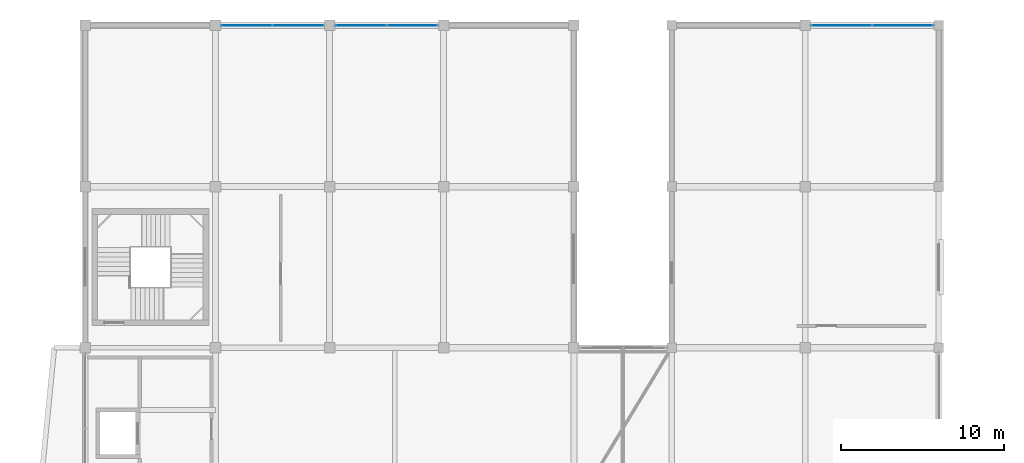
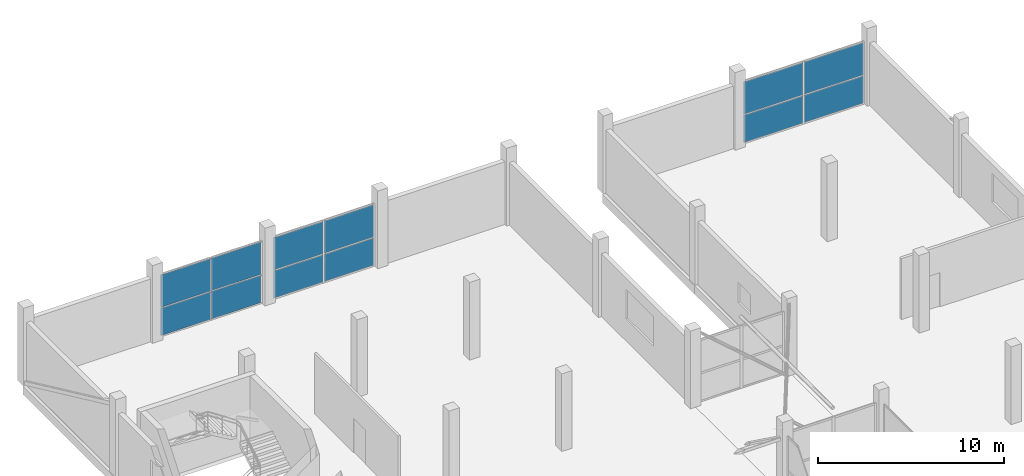
# One storey, part 50 of 66: 12 plates, 3 elements without a shape of their own.
"""IFC4 building model written with IfcOpenShell, lengths in metres."""

from ifc_helpers import new_model, si_unit, direction, frame, origin, origin_2d, place, context, subcontext, project, spatial, rectangle, extrude, material, layer, layer_set, type_object, element, aggregate, save


model = new_model("IFC4")

# Units and contexts
model_context = context("Model", 3, precision=1e-05, world=origin(), true_north=direction((0.0, 1.0)))
body_context = subcontext(model_context, "Body", "Model", "MODEL_VIEW")
ifc_project = project(units=[si_unit("LENGTHUNIT", "METRE"), si_unit("AREAUNIT", "SQUARE_METRE"), si_unit("VOLUMEUNIT", "CUBIC_METRE"), si_unit("PLANEANGLEUNIT", "RADIAN"), si_unit("MASSUNIT", "GRAM", prefix="KILO")], contexts=[model_context])

# Site, building, storey
site_placement = place(None, origin())
site = spatial("IfcSite", under=ifc_project, at=site_placement, CompositionType="ELEMENT")
building_placement = place(site_placement, origin())
building = spatial("IfcBuilding", under=site, at=building_placement, Name="Sillaruma Civic Art Gallery", CompositionType="ELEMENT")
storey_placement = place(building_placement, frame((0.0, 0.0, 57.1201171875)))
storey = spatial("IfcBuildingStorey", under=building, at=storey_placement, Name="L11", CompositionType="ELEMENT", Elevation=57.1201171875)

# Curtain wall, plates
ifc_material_1 = material(Name="Thermally Broken Extruded Aluminium 6063-T6", Category="aluminium")
ifc_layer_1 = layer(ifc_material_1, 0.139892578125, Name="Thermally Broken Extruded Aluminium 6063-T6")
ifc_layer_set_1 = layer_set([ifc_layer_1], Name="Thermally Broken Extruded Aluminium 6063-T6")
curtain_wall_type_1 = type_object("IfcCurtainWallType", Name="CW-UNI-76", PredefinedType="NOTDEFINED", material=ifc_layer_set_1)
curtain_wall_1_placement = place(storey_placement, origin())
curtain_wall_1 = element("IfcCurtainWall", 1, at=curtain_wall_1_placement, inside=storey, type_object=curtain_wall_type_1, Name="Unitised Curtain Wall CW-76 (CW-L11-WBN-2)", PredefinedType="NOTDEFINED")
ifc_material_2 = material(Name="Low-E UV-Filtered Laminated Insulating Glass", Category="glass")
ifc_layer_2 = layer(ifc_material_2, 0.033935546875, Name="Low-E UV-Filtered Laminated Insulating Glass")
ifc_layer_set_2 = layer_set([ifc_layer_2], Name="Low-E UV-Filtered Laminated Insulating Glass")
plate_type_1 = type_object("IfcPlateType", Name="PNL-GLZ-34", PredefinedType="CURTAIN_PANEL", material=ifc_layer_set_2)
plate_1_placement = place(storey_placement, frame((71.927490234375, 99.0, 0.06494140625), z_axis=(0.0, 0.0, 1.0), x_axis=(1.0, 0.0, 0.0)))
plate_1 = element("IfcPlate", 2, at=plate_1_placement, type_object=plate_type_1, Name="CW-76 panel 1.1", PredefinedType="CURTAIN_PANEL", context=body_context, shape_type="SweptSolid", body=[
    extrude(rectangle(XDim=3.0849609375, YDim=0.033935546875, at=origin_2d()), origin(), (0.0, 0.0, 1.0), 1.797607421875),
])
plate_2_placement = place(storey_placement, frame((71.927490234375, 99.0, 1.927734375), z_axis=(0.0, 0.0, 1.0), x_axis=(1.0, 0.0, 0.0)))
plate_2 = element("IfcPlate", 3, at=plate_2_placement, type_object=plate_type_1, Name="CW-76 panel 1.2", PredefinedType="CURTAIN_PANEL", context=body_context, shape_type="SweptSolid", body=[
    extrude(rectangle(XDim=3.0849609375, YDim=0.033935546875, at=origin_2d()), origin(), (0.0, 0.0, 1.0), 2.127197265625),
])
plate_3_placement = place(storey_placement, frame((75.072509765625, 99.0, 0.06494140625), z_axis=(0.0, 0.0, 1.0), x_axis=(1.0, 0.0, 0.0)))
plate_3 = element("IfcPlate", 4, at=plate_3_placement, type_object=plate_type_1, Name="CW-76 panel 2.1", PredefinedType="CURTAIN_PANEL", context=body_context, shape_type="SweptSolid", body=[
    extrude(rectangle(XDim=3.0849609375, YDim=0.033935546875, at=origin_2d()), origin(), (0.0, 0.0, 1.0), 1.797607421875),
])
plate_4_placement = place(storey_placement, frame((75.072509765625, 99.0, 1.927734375), z_axis=(0.0, 0.0, 1.0), x_axis=(1.0, 0.0, 0.0)))
plate_4 = element("IfcPlate", 5, at=plate_4_placement, type_object=plate_type_1, Name="CW-76 panel 2.2", PredefinedType="CURTAIN_PANEL", context=body_context, shape_type="SweptSolid", body=[
    extrude(rectangle(XDim=3.0849609375, YDim=0.033935546875, at=origin_2d()), origin(), (0.0, 0.0, 1.0), 2.127197265625),
])
aggregate(curtain_wall_1, [plate_1, plate_2, plate_3, plate_4])

ifc_layer_3 = layer(ifc_material_1, 0.179931640625, Name="Thermally Broken Extruded Aluminium 6063-T6")
ifc_layer_set_3 = layer_set([ifc_layer_3], Name="Thermally Broken Extruded Aluminium 6063-T6")
curtain_wall_type_2 = type_object("IfcCurtainWallType", Name="CW-UNI-86", PredefinedType="NOTDEFINED", material=ifc_layer_set_3)
curtain_wall_2_placement = place(storey_placement, origin())
curtain_wall_2 = element("IfcCurtainWall", 6, at=curtain_wall_2_placement, inside=storey, type_object=curtain_wall_type_2, Name="Unitised Curtain Wall CW-86 (CW-L11-WBN-3)", PredefinedType="NOTDEFINED")
ifc_layer_4 = layer(ifc_material_2, 0.035888671875, Name="Low-E UV-Filtered Laminated Insulating Glass")
ifc_layer_set_4 = layer_set([ifc_layer_4], Name="Low-E UV-Filtered Laminated Insulating Glass")
plate_type_2 = type_object("IfcPlateType", Name="PNL-GLZ-36", PredefinedType="CURTAIN_PANEL", material=ifc_layer_set_4)
plate_5_placement = place(storey_placement, frame((78.929931640625, 99.0, 0.06982421875), z_axis=(0.0, 0.0, 1.0), x_axis=(1.0, 0.0, 0.0)))
plate_5 = element("IfcPlate", 7, at=plate_5_placement, type_object=plate_type_2, Name="CW-86 panel 1.1", PredefinedType="CURTAIN_PANEL", context=body_context, shape_type="SweptSolid", body=[
    extrude(rectangle(XDim=3.070068359375, YDim=0.035888671875, at=origin_2d()), origin(), (0.0, 0.0, 1.0), 1.790283203125),
])
plate_6_placement = place(storey_placement, frame((78.929931640625, 99.0, 1.93017578125), z_axis=(0.0, 0.0, 1.0), x_axis=(1.0, 0.0, 0.0)))
plate_6 = element("IfcPlate", 8, at=plate_6_placement, type_object=plate_type_2, Name="CW-86 panel 1.2", PredefinedType="CURTAIN_PANEL", context=body_context, shape_type="SweptSolid", body=[
    extrude(rectangle(XDim=3.070068359375, YDim=0.035888671875, at=origin_2d()), origin(), (0.0, 0.0, 1.0), 2.119873046875),
])
plate_7_placement = place(storey_placement, frame((82.070068359375, 99.0, 0.06982421875), z_axis=(0.0, 0.0, 1.0), x_axis=(1.0, 0.0, 0.0)))
plate_7 = element("IfcPlate", 9, at=plate_7_placement, type_object=plate_type_2, Name="CW-86 panel 2.1", PredefinedType="CURTAIN_PANEL", context=body_context, shape_type="SweptSolid", body=[
    extrude(rectangle(XDim=3.070068359375, YDim=0.035888671875, at=origin_2d()), origin(), (0.0, 0.0, 1.0), 1.790283203125),
])
plate_8_placement = place(storey_placement, frame((82.070068359375, 99.0, 1.93017578125), z_axis=(0.0, 0.0, 1.0), x_axis=(1.0, 0.0, 0.0)))
plate_8 = element("IfcPlate", 10, at=plate_8_placement, type_object=plate_type_2, Name="CW-86 panel 2.2", PredefinedType="CURTAIN_PANEL", context=body_context, shape_type="SweptSolid", body=[
    extrude(rectangle(XDim=3.070068359375, YDim=0.035888671875, at=origin_2d()), origin(), (0.0, 0.0, 1.0), 2.119873046875),
])
aggregate(curtain_wall_2, [plate_5, plate_6, plate_7, plate_8])

ifc_layer_5 = layer(ifc_material_1, 0.179931640625, Name="Thermally Broken Extruded Aluminium 6063-T6")
ifc_layer_set_5 = layer_set([ifc_layer_5], Name="Thermally Broken Extruded Aluminium 6063-T6")
curtain_wall_type_3 = type_object("IfcCurtainWallType", Name="CW-UNI-87", PredefinedType="NOTDEFINED", material=ifc_layer_set_5)
curtain_wall_3_placement = place(storey_placement, origin())
curtain_wall_3 = element("IfcCurtainWall", 11, at=curtain_wall_3_placement, inside=storey, type_object=curtain_wall_type_3, Name="Unitised Curtain Wall CW-87 (CW-L11-EBN-2)", PredefinedType="NOTDEFINED")
plate_9_placement = place(storey_placement, frame((108.436279296875, 99.0, 0.06982421875), z_axis=(0.0, 0.0, 1.0), x_axis=(1.0, 0.0, 0.0)))
plate_9 = element("IfcPlate", 12, at=plate_9_placement, type_object=plate_type_2, Name="CW-87 panel 1.1", PredefinedType="CURTAIN_PANEL", context=body_context, shape_type="SweptSolid", body=[
    extrude(rectangle(XDim=3.6826171875, YDim=0.035888671875, at=origin_2d()), origin(), (0.0, 0.0, 1.0), 1.790283203125),
])
plate_10_placement = place(storey_placement, frame((108.436279296875, 99.0, 1.93017578125), z_axis=(0.0, 0.0, 1.0), x_axis=(1.0, 0.0, 0.0)))
plate_10 = element("IfcPlate", 13, at=plate_10_placement, type_object=plate_type_2, Name="CW-87 panel 1.2", PredefinedType="CURTAIN_PANEL", context=body_context, shape_type="SweptSolid", body=[
    extrude(rectangle(XDim=3.6826171875, YDim=0.035888671875, at=origin_2d()), origin(), (0.0, 0.0, 1.0), 2.119873046875),
])
plate_11_placement = place(storey_placement, frame((112.188720703125, 99.0, 0.06982421875), z_axis=(0.0, 0.0, 1.0), x_axis=(1.0, 0.0, 0.0)))
plate_11 = element("IfcPlate", 14, at=plate_11_placement, type_object=plate_type_2, Name="CW-87 panel 2.1", PredefinedType="CURTAIN_PANEL", context=body_context, shape_type="SweptSolid", body=[
    extrude(rectangle(XDim=3.6826171875, YDim=0.035888671875, at=origin_2d()), origin(), (0.0, 0.0, 1.0), 1.790283203125),
])
plate_12_placement = place(storey_placement, frame((112.188720703125, 99.0, 1.93017578125), z_axis=(0.0, 0.0, 1.0), x_axis=(1.0, 0.0, 0.0)))
plate_12 = element("IfcPlate", 15, at=plate_12_placement, type_object=plate_type_2, Name="CW-87 panel 2.2", PredefinedType="CURTAIN_PANEL", context=body_context, shape_type="SweptSolid", body=[
    extrude(rectangle(XDim=3.6826171875, YDim=0.035888671875, at=origin_2d()), origin(), (0.0, 0.0, 1.0), 2.119873046875),
])
aggregate(curtain_wall_3, [plate_9, plate_10, plate_11, plate_12])

save(model, "model.ifc")
